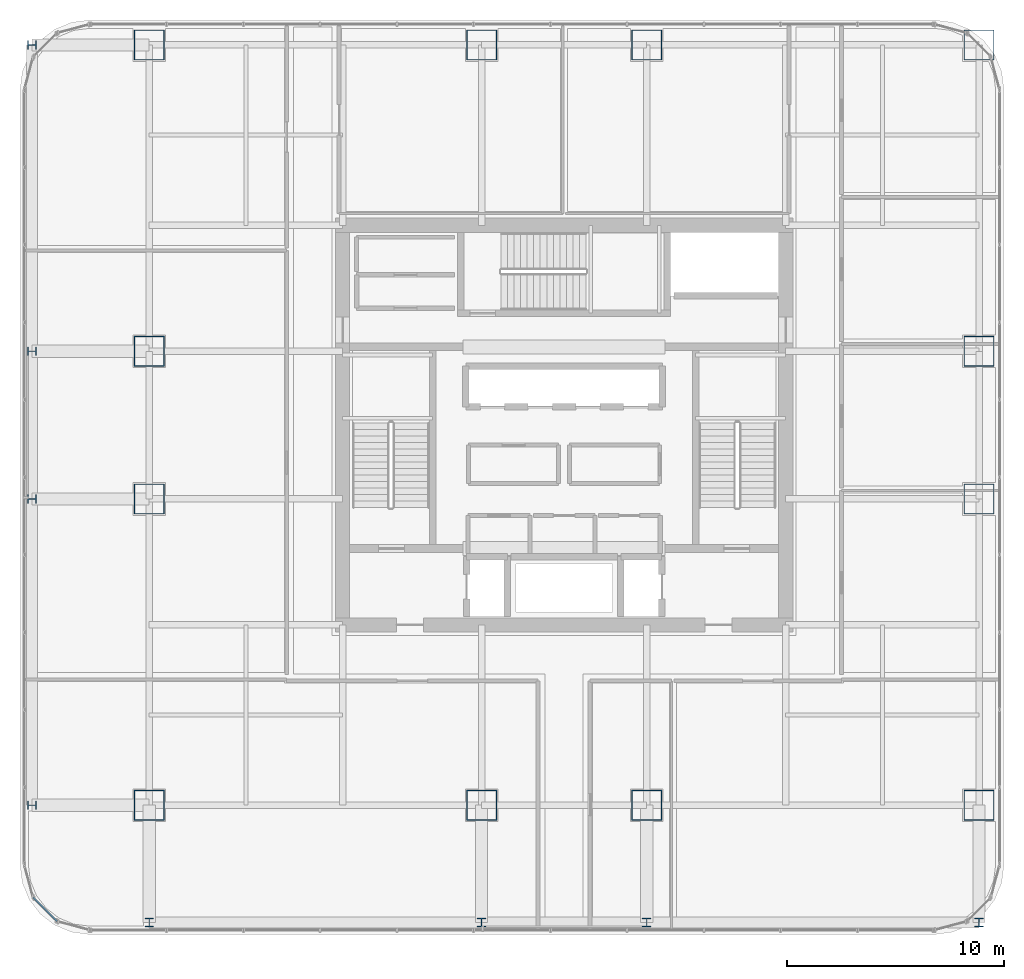
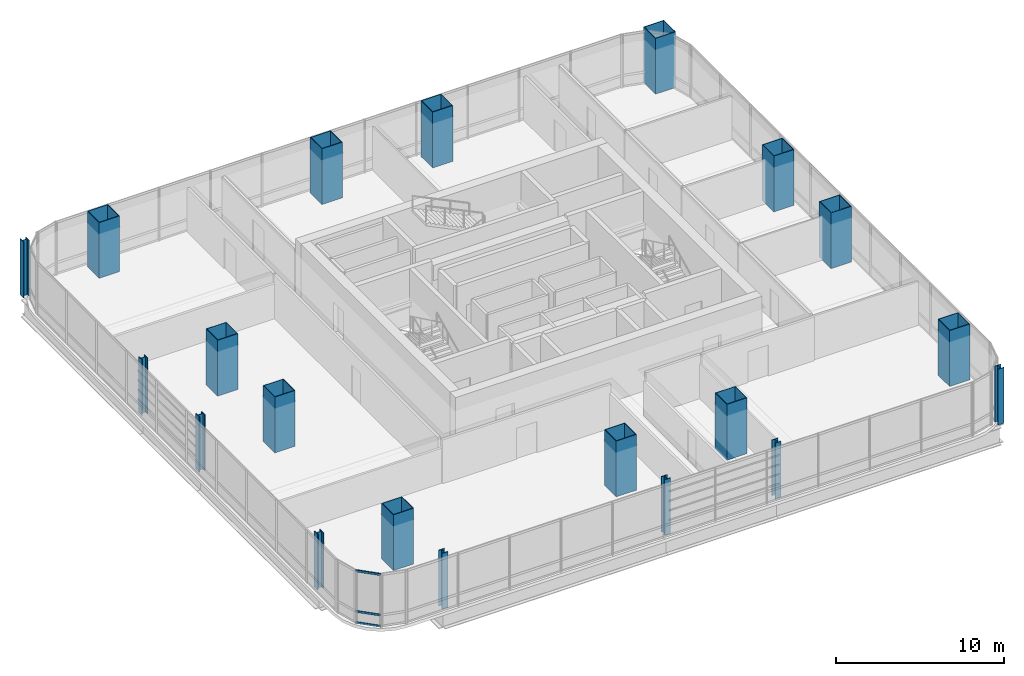
# One storey, part 1 of 37: 20 columns, 3 members, 1 element without a shape of its own.
"""IFC4 building model written with IfcOpenShell, lengths in metres."""

from ifc_helpers import new_model, si_unit, direction, frame, origin, origin_2d, place, context, subcontext, project, spatial, hollow_rectangle, i_section, extrude, material, material_profile, profile_set, type_object, element, aggregate, save


model = new_model("IFC4")

# Units and contexts
model_context = context("Model", 3, precision=1e-05, world=origin(), true_north=direction((0.0, 1.0)))
body_context = subcontext(model_context, "Body", "Model", "MODEL_VIEW")
ifc_project = project(units=[si_unit("LENGTHUNIT", "METRE"), si_unit("AREAUNIT", "SQUARE_METRE"), si_unit("VOLUMEUNIT", "CUBIC_METRE"), si_unit("PLANEANGLEUNIT", "RADIAN"), si_unit("MASSUNIT", "GRAM", prefix="KILO")], contexts=[model_context])

# Site, building, storey
site_placement = place(None, origin())
site = spatial("IfcSite", under=ifc_project, at=site_placement, CompositionType="ELEMENT")
building_placement = place(site_placement, origin())
building = spatial("IfcBuilding", under=site, at=building_placement, Name="Punatoya Terracotta Tower", CompositionType="ELEMENT")
storey_placement = place(building_placement, frame((0.0, 0.0, 192.449951171875)))
storey = spatial("IfcBuildingStorey", under=building, at=storey_placement, Name="L45", CompositionType="ELEMENT", Elevation=192.449951171875)

# Columns
ifc_material_1 = material(Name="Steel S460", Category="steel")
ifc_material_profile_1 = material_profile(ifc_material_1, i_section(OverallWidth=0.408935546875, OverallDepth=0.425048828125, WebThickness=0.031982421875, FlangeThickness=0.052001953125, FilletRadius=0.01806640625, at=origin_2d()))
ifc_profile_set_1 = profile_set([ifc_material_profile_1], Name="Steel S460")
column_type_1 = type_object("IfcColumnType", Name="COL-EX-M2", PredefinedType="COLUMN", material=ifc_profile_set_1)
for number, where, z_axis, x_axis, name in (
    (1, (-19.10009765625, -22.89990234375, 0.0), (0.0, 0.0, 1.0), (1.0, 0.0, 0.0), "L45 Exoskeleton Perimeter Column S1"),
    (2, (-3.800048828125, -22.89990234375, 0.0), (0.0, 0.0, 1.0), (1.0, 0.0, 0.0), "L45 Exoskeleton Perimeter Column S2"),
    (3, (3.800048828125, -22.89990234375, 0.0), (0.0, 0.0, 1.0), (1.0, 0.0, 0.0), "L45 Exoskeleton Perimeter Column S3"),
    (4, (19.10009765625, -22.89990234375, 0.0), (0.0, 0.0, 1.0), (1.0, 0.0, 0.0), "L45 Exoskeleton Perimeter Column S4"),
    (5, (-24.5, -17.5, 0.0), (0.0, 0.0, 1.0), (0.0, 1.0, 0.0), "L45 Exoskeleton Perimeter Column W1"),
    (6, (-24.5, -3.39990234375, 0.0), (0.0, 0.0, 1.0), (0.0, 1.0, 0.0), "L45 Exoskeleton Perimeter Column W2"),
    (7, (-24.5, 3.39990234375, 0.0), (0.0, 0.0, 1.0), (0.0, 1.0, 0.0), "L45 Exoskeleton Perimeter Column W3"),
    (8, (-24.5, 17.5, 0.0), (0.0, 0.0, 1.0), (0.0, 1.0, 0.0), "L45 Exoskeleton Perimeter Column W4"),
):
    element("IfcColumn", number, at=place(storey_placement, frame(where, z_axis=z_axis, x_axis=x_axis)), inside=storey, type_object=column_type_1, Name=name, PredefinedType="COLUMN", context=body_context, shape_type="SweptSolid", body=[
        extrude(i_section(OverallWidth=0.408935546875, OverallDepth=0.425048828125, WebThickness=0.031982421875, FlangeThickness=0.052001953125, FilletRadius=0.01806640625, at=origin_2d()), origin(), (0.0, 0.0, 1.0), 4.048095703125),
    ])
ifc_material_profile_2 = material_profile(ifc_material_1, hollow_rectangle(XDim=1.39990234375, YDim=1.39990234375, WallThickness=0.0419921875, at=origin_2d()))
ifc_profile_set_2 = profile_set([ifc_material_profile_2], Name="Steel S460")
column_type_2 = type_object("IfcColumnType", Name="COL-MC-Z2", PredefinedType="COLUMN", material=ifc_profile_set_2)
for number, where, z_axis, x_axis, name in (
    (9, (-19.10009765625, -17.5, 0.0), (0.0, 0.0, 1.0), (1.0, 0.0, 0.0), "L45 Composite Mega-Column MC-01 (3-B)"),
    (10, (-3.800048828125, -17.5, 0.0), (0.0, 0.0, 1.0), (1.0, 0.0, 0.0), "L45 Composite Mega-Column MC-02 (5-B)"),
    (11, (3.800048828125, -17.5, 0.0), (0.0, 0.0, 1.0), (1.0, 0.0, 0.0), "L45 Composite Mega-Column MC-03 (7-B)"),
    (12, (19.10009765625, -17.5, 0.0), (0.0, 0.0, 1.0), (1.0, 0.0, 0.0), "L45 Composite Mega-Column MC-04 (9-B)"),
    (13, (19.10009765625, -3.39990234375, 0.0), (0.0, 0.0, 1.0), (1.0, 0.0, 0.0), "L45 Composite Mega-Column MC-05 (9-D)"),
    (14, (19.10009765625, 3.39990234375, 0.0), (0.0, 0.0, 1.0), (1.0, 0.0, 0.0), "L45 Composite Mega-Column MC-06 (9-E)"),
    (15, (19.10009765625, 17.5, 0.0), (0.0, 0.0, 1.0), (1.0, 0.0, 0.0), "L45 Composite Mega-Column MC-07 (9-G)"),
    (16, (3.800048828125, 17.5, 0.0), (0.0, 0.0, 1.0), (1.0, 0.0, 0.0), "L45 Composite Mega-Column MC-08 (7-G)"),
    (17, (-3.800048828125, 17.5, 0.0), (0.0, 0.0, 1.0), (1.0, 0.0, 0.0), "L45 Composite Mega-Column MC-09 (5-G)"),
    (18, (-19.10009765625, 17.5, 0.0), (0.0, 0.0, 1.0), (1.0, 0.0, 0.0), "L45 Composite Mega-Column MC-10 (3-G)"),
    (19, (-19.10009765625, 3.39990234375, 0.0), (0.0, 0.0, 1.0), (1.0, 0.0, 0.0), "L45 Composite Mega-Column MC-11 (3-E)"),
    (20, (-19.10009765625, -3.39990234375, 0.0), (0.0, 0.0, 1.0), (1.0, 0.0, 0.0), "L45 Composite Mega-Column MC-12 (3-D)"),
):
    element("IfcColumn", number, at=place(storey_placement, frame(where, z_axis=z_axis, x_axis=x_axis)), inside=storey, type_object=column_type_2, Name=name, PredefinedType="COLUMN", context=body_context, shape_type="SweptSolid", body=[
        extrude(hollow_rectangle(XDim=1.39990234375, YDim=1.39990234375, WallThickness=0.0419921875, at=origin_2d()), origin(), (0.0, 0.0, 1.0), 4.050048828125),
    ])

# Curtain wall, members
ifc_material_2 = material(Name="Aluminium 6063-T6 + Double Low-E Glass", Category="aluminium")
curtain_wall_type = type_object("IfcCurtainWallType", Name="CW-M2", PredefinedType="NOTDEFINED", material=ifc_material_2)
curtain_wall_placement = place(storey_placement, origin())
curtain_wall = element("IfcCurtainWall", 21, at=curtain_wall_placement, inside=storey, type_object=curtain_wall_type, Name="L45 Curtain Wall CW-L45-CRN15", PredefinedType="NOTDEFINED")
ifc_material_3 = material(Name="Aluminium 6063-T6", Category="aluminium")
ifc_material_profile_3 = material_profile(ifc_material_3, hollow_rectangle(XDim=0.068115234375, YDim=0.14990234375, WallThickness=0.00390625, at=origin_2d()))
ifc_profile_set_3 = profile_set([ifc_material_profile_3], Name="Aluminium 6063-T6")
member_type = type_object("IfcMemberType", Name="CW-TRN-TYP", PredefinedType="USERDEFINED", material=ifc_profile_set_3)
member_1_placement = place(storey_placement, frame((-24.446533203125, -21.7490234375, 0.0400390625), z_axis=(0.707028130747, -0.707185422879, 0.0), x_axis=(0.707185422879, 0.707028130747, 0.0)))
member_1 = element("IfcMember", 22, at=member_1_placement, type_object=member_type, Name="CW-L45-CRN15 Transom 1", ObjectType="TRANSOM", PredefinedType="USERDEFINED", context=body_context, shape_type="SweptSolid", body=[
    extrude(hollow_rectangle(XDim=0.068115234375, YDim=0.14990234375, WallThickness=0.00390625, at=origin_2d()), origin(), (0.0, 0.0, 1.0), 1.55224609375),
])
member_2_placement = place(storey_placement, frame((-24.446533203125, -21.7490234375, 0.85009765625), z_axis=(0.707028130747, -0.707185422879, 0.0), x_axis=(0.707185422879, 0.707028130747, 0.0)))
member_2 = element("IfcMember", 23, at=member_2_placement, type_object=member_type, Name="CW-L45-CRN15 Transom 2", ObjectType="TRANSOM", PredefinedType="USERDEFINED", context=body_context, shape_type="SweptSolid", body=[
    extrude(hollow_rectangle(XDim=0.068115234375, YDim=0.14990234375, WallThickness=0.00390625, at=origin_2d()), origin(), (0.0, 0.0, 1.0), 1.55224609375),
])
member_3_placement = place(storey_placement, frame((-24.446533203125, -21.7490234375, 3.7900390625), z_axis=(0.707028130747, -0.707185422879, 0.0), x_axis=(0.707185422879, 0.707028130747, 0.0)))
member_3 = element("IfcMember", 24, at=member_3_placement, type_object=member_type, Name="CW-L45-CRN15 Transom 3", ObjectType="TRANSOM", PredefinedType="USERDEFINED", context=body_context, shape_type="SweptSolid", body=[
    extrude(hollow_rectangle(XDim=0.068115234375, YDim=0.14990234375, WallThickness=0.00390625, at=origin_2d()), origin(), (0.0, 0.0, 1.0), 1.55224609375),
])
aggregate(curtain_wall, [member_1, member_2, member_3])

save(model, "model.ifc")
